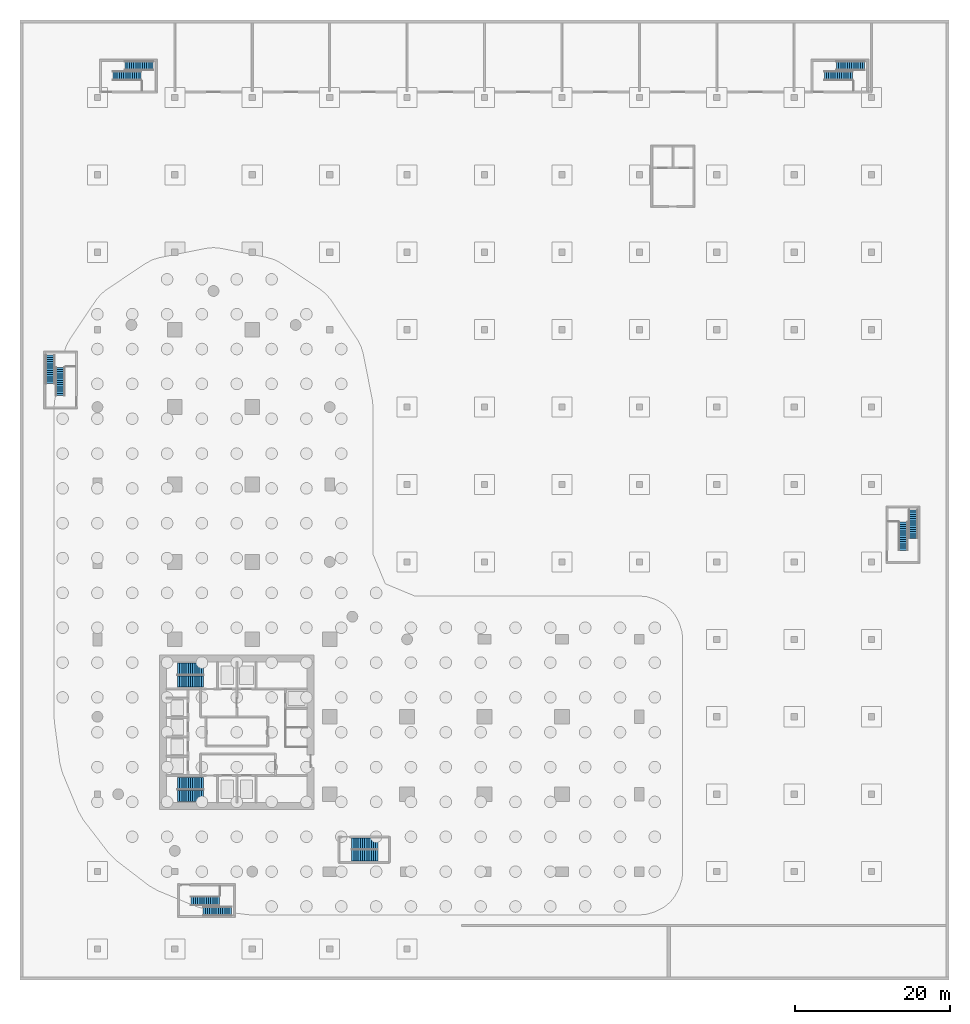
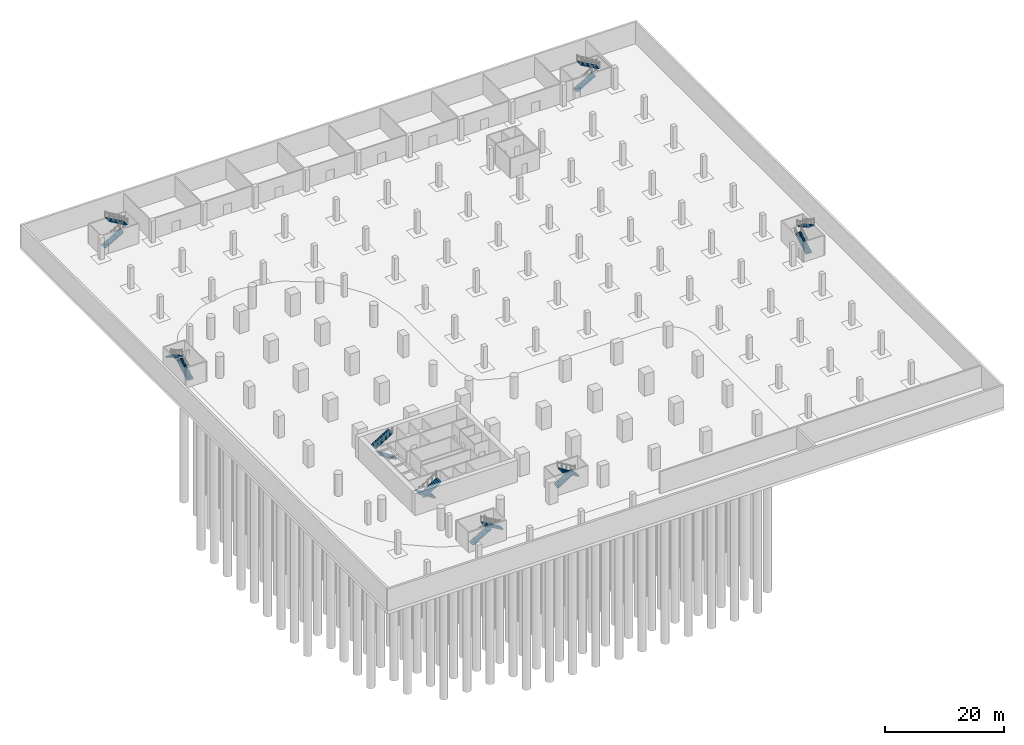
# One storey, part 15 of 19: 16 stair flights, 8 elements without a shape of their own.
"""IFC4 building model written with IfcOpenShell, lengths in metres."""

from ifc_helpers import new_model, si_unit, direction, frame, origin, place, context, subcontext, project, spatial, polyline, outline, extrude, material, layer, layer_set, type_object, element, aggregate, save


model = new_model("IFC4")

# Units and contexts
model_context = context("Model", 3, precision=1e-05, world=origin(), true_north=direction((0.0, 1.0)))
body_context = subcontext(model_context, "Body", "Model", "MODEL_VIEW")
ifc_project = project(units=[si_unit("LENGTHUNIT", "METRE"), si_unit("AREAUNIT", "SQUARE_METRE"), si_unit("VOLUMEUNIT", "CUBIC_METRE"), si_unit("PLANEANGLEUNIT", "RADIAN"), si_unit("MASSUNIT", "GRAM", prefix="KILO")], contexts=[model_context])

# Site, building, storey
site_placement = place(None, origin())
site = spatial("IfcSite", under=ifc_project, at=site_placement, CompositionType="ELEMENT")
building_placement = place(site_placement, origin())
building = spatial("IfcBuilding", under=site, at=building_placement, Name="Qaws Garden Tower", CompositionType="ELEMENT")
storey_placement = place(building_placement, frame((0.0, 0.0, -9.0)))
storey = spatial("IfcBuildingStorey", under=building, at=storey_placement, Name="B2", CompositionType="ELEMENT", Elevation=-9.0)

# Stair, stair flights
ifc_material_1 = material(Name="Concrete C40", Category="concrete")
stair_type_1 = type_object("IfcStairType", Name="Exit stair 1350", PredefinedType="HALF_TURN_STAIR", material=ifc_material_1)
placement = place(storey_placement, origin())
stair_1 = element("IfcStair", 1, at=placement, inside=storey, type_object=stair_type_1, Name="Stair 5", PredefinedType="HALF_TURN_STAIR")
ifc_material_2 = material(Name="Concrete C40", Category="concrete")
stair_flight_type_1 = type_object("IfcStairFlightType", Name="Stair flight 1350", PredefinedType="STRAIGHT", material=ifc_material_2)
stair_flight_1_placement = place(storey_placement, frame((32.85009765625, 3.625, 0.0), z_axis=(0.0, 0.0, 1.0), x_axis=(1.0, 0.0, 0.0)))
stair_flight_1 = element("IfcStairFlight", 2, at=stair_flight_1_placement, type_object=stair_flight_type_1, Name="ST5 flight 1", NumberOfRisers=13, NumberOfTreads=12, PredefinedType="STRAIGHT", RiserHeight=0.173076923, TreadLength=0.28, context=body_context, shape_type="SweptSolid", body=[
    extrude(outline(polyline([(-0.0029296875, 0.0), (-0.0029296875, 0.173095703125), (0.0, 0.173095703125), (0.280029296875, 0.173095703125), (0.280029296875, 0.34619140625), (0.56005859375, 0.34619140625), (0.56005859375, 0.519287109375), (0.840087890625, 0.519287109375), (0.840087890625, 0.6923828125), (1.1201171875, 0.6923828125), (1.1201171875, 0.865478515625), (1.39990234375, 0.865478515625), (1.39990234375, 1.03857421875), (1.679931640625, 1.03857421875), (1.679931640625, 1.21142578125), (1.9599609375, 1.21142578125), (1.9599609375, 1.384521484375), (2.239990234375, 1.384521484375), (2.239990234375, 1.5576171875), (2.52001953125, 1.5576171875), (2.52001953125, 1.730712890625), (2.800048828125, 1.730712890625), (2.800048828125, 1.90380859375), (3.080078125, 1.90380859375), (3.080078125, 2.076904296875), (3.360107421875, 2.076904296875), (3.360107421875, 2.25), (3.363037109375, 2.25), (3.363037109375, 1.900634765625), (3.360107421875, 1.900634765625), (0.28515625, 0.0), (-0.0029296875, 0.0)])), frame((0.0, 0.68994140625, 0.0), z_axis=(0.0, -1.0, 0.0), x_axis=(1.0, 0.0, 0.0)), (0.0, 0.0, 1.0), 1.3798828125),
])
stair_flight_2_placement = place(storey_placement, frame((36.2099609375, 2.074951171875, 2.25), z_axis=(0.0, 0.0, 1.0), x_axis=(-1.0, 0.0, 0.0)))
stair_flight_2 = element("IfcStairFlight", 3, at=stair_flight_2_placement, type_object=stair_flight_type_1, Name="ST5 flight 2", NumberOfRisers=13, NumberOfTreads=12, PredefinedType="STRAIGHT", RiserHeight=0.173076923, TreadLength=0.28, context=body_context, shape_type="SweptSolid", body=[
    extrude(outline(polyline([(-0.0029296875, 0.0), (-0.0029296875, 0.173095703125), (0.0, 0.173095703125), (0.280029296875, 0.173095703125), (0.280029296875, 0.34619140625), (0.56005859375, 0.34619140625), (0.56005859375, 0.519287109375), (0.840087890625, 0.519287109375), (0.840087890625, 0.6923828125), (1.1201171875, 0.6923828125), (1.1201171875, 0.865478515625), (1.39990234375, 0.865478515625), (1.39990234375, 1.03857421875), (1.679931640625, 1.03857421875), (1.679931640625, 1.21142578125), (1.9599609375, 1.21142578125), (1.9599609375, 1.384521484375), (2.239990234375, 1.384521484375), (2.239990234375, 1.5576171875), (2.52001953125, 1.5576171875), (2.52001953125, 1.730712890625), (2.800048828125, 1.730712890625), (2.800048828125, 1.90380859375), (3.080078125, 1.90380859375), (3.080078125, 2.076904296875), (3.360107421875, 2.076904296875), (3.360107421875, 2.25), (3.363037109375, 2.25), (3.363037109375, 1.900634765625), (3.360107421875, 1.900634765625), (0.28515625, 0.0), (-0.0029296875, 0.0)])), frame((0.0, 0.68994140625, 0.0), z_axis=(0.0, -1.0, 0.0), x_axis=(1.0, 0.0, 0.0)), (0.0, 0.0, 1.0), 1.3798828125),
])
aggregate(stair_1, [stair_flight_1, stair_flight_2])

ifc_material_3 = material(Name="Concrete C40", Category="concrete")
stair_type_2 = type_object("IfcStairType", Name="Exit stair 1500", PredefinedType="HALF_TURN_STAIR", material=ifc_material_3)
stair_2 = element("IfcStair", 4, at=placement, inside=storey, type_object=stair_type_2, Name="Stair 1", PredefinedType="HALF_TURN_STAIR")
ifc_material_4 = material(Name="Concrete C40", Category="concrete")
stair_flight_type_2 = type_object("IfcStairFlightType", Name="Stair flight 1500", PredefinedType="STRAIGHT", material=ifc_material_4)
stair_flight_3_placement = place(storey_placement, frame((13.699951171875, 11.449951171875, 0.0), z_axis=(0.0, 0.0, 1.0), x_axis=(-1.0, 0.0, 0.0)))
stair_flight_3 = element("IfcStairFlight", 5, at=stair_flight_3_placement, type_object=stair_flight_type_2, Name="ST1 flight 1", NumberOfRisers=13, NumberOfTreads=12, PredefinedType="STRAIGHT", RiserHeight=0.173076923, TreadLength=0.28, context=body_context, shape_type="SweptSolid", body=[
    extrude(outline(polyline([(-0.0029296875, 0.0), (-0.0029296875, 0.173095703125), (0.0, 0.173095703125), (0.280029296875, 0.173095703125), (0.280029296875, 0.34619140625), (0.56005859375, 0.34619140625), (0.56005859375, 0.519287109375), (0.840087890625, 0.519287109375), (0.840087890625, 0.6923828125), (1.1201171875, 0.6923828125), (1.1201171875, 0.865478515625), (1.39990234375, 0.865478515625), (1.39990234375, 1.03857421875), (1.679931640625, 1.03857421875), (1.679931640625, 1.21142578125), (1.9599609375, 1.21142578125), (1.9599609375, 1.384521484375), (2.239990234375, 1.384521484375), (2.239990234375, 1.5576171875), (2.52001953125, 1.5576171875), (2.52001953125, 1.730712890625), (2.800048828125, 1.730712890625), (2.800048828125, 1.90380859375), (3.080078125, 1.90380859375), (3.080078125, 2.076904296875), (3.360107421875, 2.076904296875), (3.360107421875, 2.25), (3.363037109375, 2.25), (3.363037109375, 1.900634765625), (3.360107421875, 1.900634765625), (0.28515625, 0.0), (-0.0029296875, 0.0)])), frame((0.0, 0.71484375, 0.0), z_axis=(0.0, -1.0, 0.0), x_axis=(1.0, 0.0, 0.0)), (0.0, 0.0, 1.0), 1.429931640625),
])
stair_flight_4_placement = place(storey_placement, frame((10.340087890625, 9.75, 2.25), z_axis=(0.0, 0.0, 1.0), x_axis=(1.0, 0.0, 0.0)))
stair_flight_4 = element("IfcStairFlight", 6, at=stair_flight_4_placement, type_object=stair_flight_type_2, Name="ST1 flight 2", NumberOfRisers=13, NumberOfTreads=12, PredefinedType="STRAIGHT", RiserHeight=0.173076923, TreadLength=0.28, context=body_context, shape_type="SweptSolid", body=[
    extrude(outline(polyline([(-0.0029296875, 0.0), (-0.0029296875, 0.173095703125), (0.0, 0.173095703125), (0.280029296875, 0.173095703125), (0.280029296875, 0.34619140625), (0.56005859375, 0.34619140625), (0.56005859375, 0.519287109375), (0.840087890625, 0.519287109375), (0.840087890625, 0.6923828125), (1.1201171875, 0.6923828125), (1.1201171875, 0.865478515625), (1.39990234375, 0.865478515625), (1.39990234375, 1.03857421875), (1.679931640625, 1.03857421875), (1.679931640625, 1.21142578125), (1.9599609375, 1.21142578125), (1.9599609375, 1.384521484375), (2.239990234375, 1.384521484375), (2.239990234375, 1.5576171875), (2.52001953125, 1.5576171875), (2.52001953125, 1.730712890625), (2.800048828125, 1.730712890625), (2.800048828125, 1.90380859375), (3.080078125, 1.90380859375), (3.080078125, 2.076904296875), (3.360107421875, 2.076904296875), (3.360107421875, 2.25), (3.363037109375, 2.25), (3.363037109375, 1.900634765625), (3.360107421875, 1.900634765625), (0.28515625, 0.0), (-0.0029296875, 0.0)])), frame((0.0, 0.71484375, 0.0), z_axis=(0.0, -1.0, 0.0), x_axis=(1.0, 0.0, 0.0)), (0.0, 0.0, 1.0), 1.429931640625),
])
aggregate(stair_2, [stair_flight_3, stair_flight_4])

stair_3 = element("IfcStair", 7, at=placement, inside=storey, type_object=stair_type_2, Name="Stair 4", PredefinedType="HALF_TURN_STAIR")
stair_flight_5_placement = place(storey_placement, frame((13.699951171875, 24.550048828125, 0.0), z_axis=(0.0, 0.0, 1.0), x_axis=(-1.0, 0.0, 0.0)))
stair_flight_5 = element("IfcStairFlight", 8, at=stair_flight_5_placement, type_object=stair_flight_type_2, Name="ST4 flight 1", NumberOfRisers=13, NumberOfTreads=12, PredefinedType="STRAIGHT", RiserHeight=0.173076923, TreadLength=0.28, context=body_context, shape_type="SweptSolid", body=[
    extrude(outline(polyline([(-0.0029296875, 0.0), (-0.0029296875, 0.173095703125), (0.0, 0.173095703125), (0.280029296875, 0.173095703125), (0.280029296875, 0.34619140625), (0.56005859375, 0.34619140625), (0.56005859375, 0.519287109375), (0.840087890625, 0.519287109375), (0.840087890625, 0.6923828125), (1.1201171875, 0.6923828125), (1.1201171875, 0.865478515625), (1.39990234375, 0.865478515625), (1.39990234375, 1.03857421875), (1.679931640625, 1.03857421875), (1.679931640625, 1.21142578125), (1.9599609375, 1.21142578125), (1.9599609375, 1.384521484375), (2.239990234375, 1.384521484375), (2.239990234375, 1.5576171875), (2.52001953125, 1.5576171875), (2.52001953125, 1.730712890625), (2.800048828125, 1.730712890625), (2.800048828125, 1.90380859375), (3.080078125, 1.90380859375), (3.080078125, 2.076904296875), (3.360107421875, 2.076904296875), (3.360107421875, 2.25), (3.363037109375, 2.25), (3.363037109375, 1.900634765625), (3.360107421875, 1.900634765625), (0.28515625, 0.0), (-0.0029296875, 0.0)])), frame((0.0, 0.719970703125, 0.0), z_axis=(0.0, -1.0, 0.0), x_axis=(1.0, 0.0, 0.0)), (0.0, 0.0, 1.0), 1.43994140625),
])
stair_flight_6_placement = place(storey_placement, frame((10.340087890625, 26.25, 2.25), z_axis=(0.0, 0.0, 1.0), x_axis=(1.0, 0.0, 0.0)))
stair_flight_6 = element("IfcStairFlight", 9, at=stair_flight_6_placement, type_object=stair_flight_type_2, Name="ST4 flight 2", NumberOfRisers=13, NumberOfTreads=12, PredefinedType="STRAIGHT", RiserHeight=0.173076923, TreadLength=0.28, context=body_context, shape_type="SweptSolid", body=[
    extrude(outline(polyline([(-0.0029296875, 0.0), (-0.0029296875, 0.173095703125), (0.0, 0.173095703125), (0.280029296875, 0.173095703125), (0.280029296875, 0.34619140625), (0.56005859375, 0.34619140625), (0.56005859375, 0.519287109375), (0.840087890625, 0.519287109375), (0.840087890625, 0.6923828125), (1.1201171875, 0.6923828125), (1.1201171875, 0.865478515625), (1.39990234375, 0.865478515625), (1.39990234375, 1.03857421875), (1.679931640625, 1.03857421875), (1.679931640625, 1.21142578125), (1.9599609375, 1.21142578125), (1.9599609375, 1.384521484375), (2.239990234375, 1.384521484375), (2.239990234375, 1.5576171875), (2.52001953125, 1.5576171875), (2.52001953125, 1.730712890625), (2.800048828125, 1.730712890625), (2.800048828125, 1.90380859375), (3.080078125, 1.90380859375), (3.080078125, 2.076904296875), (3.360107421875, 2.076904296875), (3.360107421875, 2.25), (3.363037109375, 2.25), (3.363037109375, 1.900634765625), (3.360107421875, 1.900634765625), (0.28515625, 0.0), (-0.0029296875, 0.0)])), frame((0.0, 0.719970703125, 0.0), z_axis=(0.0, -1.0, 0.0), x_axis=(1.0, 0.0, 0.0)), (0.0, 0.0, 1.0), 1.43994140625),
])
aggregate(stair_3, [stair_flight_5, stair_flight_6])

ifc_material_5 = material(Name="Concrete C40", Category="concrete")
stair_type_3 = type_object("IfcStairType", Name="Basement exit stair 1200", PredefinedType="HALF_TURN_STAIR", material=ifc_material_5)
stair_4 = element("IfcStair", 10, at=placement, inside=storey, type_object=stair_type_3, Name="Exit stair N1 B2 to B1", PredefinedType="HALF_TURN_STAIR")
ifc_material_6 = material(Name="Concrete C40", Category="concrete")
ifc_layer = layer(ifc_material_6, 0.14990234375)
ifc_layer_set = layer_set([ifc_layer], Name="Concrete C40")
stair_flight_type_3 = type_object("IfcStairFlightType", Name="Stair flight concrete", PredefinedType="STRAIGHT", material=ifc_layer_set)
stair_flight_7_placement = place(storey_placement, frame((2.0, 102.800048828125, 0.0), z_axis=(0.0, 0.0, 1.0), x_axis=(1.0, 0.0, 0.0)))
stair_flight_7 = element("IfcStairFlight", 11, at=stair_flight_7_placement, type_object=stair_flight_type_3, Name="PST2 flight 1", NumberOfRisers=14, NumberOfTreads=13, PredefinedType="STRAIGHT", RiserHeight=0.160714286, TreadLength=0.28, context=body_context, shape_type="SweptSolid", body=[
    extrude(outline(polyline([(-0.0029296875, 0.0), (-0.0029296875, 0.16064453125), (0.0, 0.16064453125), (0.280029296875, 0.16064453125), (0.280029296875, 0.321533203125), (0.56005859375, 0.321533203125), (0.56005859375, 0.482177734375), (0.840087890625, 0.482177734375), (0.840087890625, 0.642822265625), (1.1201171875, 0.642822265625), (1.1201171875, 0.803466796875), (1.39990234375, 0.803466796875), (1.39990234375, 0.96435546875), (1.679931640625, 0.96435546875), (1.679931640625, 1.125), (1.9599609375, 1.125), (1.9599609375, 1.28564453125), (2.239990234375, 1.28564453125), (2.239990234375, 1.446533203125), (2.52001953125, 1.446533203125), (2.52001953125, 1.607177734375), (2.800048828125, 1.607177734375), (2.800048828125, 1.767822265625), (3.080078125, 1.767822265625), (3.080078125, 1.928466796875), (3.360107421875, 1.928466796875), (3.360107421875, 2.08935546875), (3.639892578125, 2.08935546875), (3.639892578125, 2.25), (3.64306640625, 2.25), (3.64306640625, 1.91650390625), (3.639892578125, 1.91650390625), (0.301025390625, 0.0), (-0.0029296875, 0.0)])), frame((0.0, 0.60009765625, 0.0), z_axis=(0.0, -1.0, 0.0), x_axis=(1.0, 0.0, 0.0)), (0.0, 0.0, 1.0), 1.199951171875),
])
stair_flight_8_placement = place(storey_placement, frame((7.199951171875, 104.10009765625, 2.25), z_axis=(0.0, 0.0, 1.0), x_axis=(-1.0, 0.0, 0.0)))
stair_flight_8 = element("IfcStairFlight", 12, at=stair_flight_8_placement, type_object=stair_flight_type_3, Name="PST2 flight 2", NumberOfRisers=14, NumberOfTreads=13, PredefinedType="STRAIGHT", RiserHeight=0.160714286, TreadLength=0.28, context=body_context, shape_type="SweptSolid", body=[
    extrude(outline(polyline([(-0.0029296875, 0.0), (-0.0029296875, 0.16064453125), (0.0, 0.16064453125), (0.280029296875, 0.16064453125), (0.280029296875, 0.321533203125), (0.56005859375, 0.321533203125), (0.56005859375, 0.482177734375), (0.840087890625, 0.482177734375), (0.840087890625, 0.642822265625), (1.1201171875, 0.642822265625), (1.1201171875, 0.803466796875), (1.39990234375, 0.803466796875), (1.39990234375, 0.96435546875), (1.679931640625, 0.96435546875), (1.679931640625, 1.125), (1.9599609375, 1.125), (1.9599609375, 1.28564453125), (2.239990234375, 1.28564453125), (2.239990234375, 1.446533203125), (2.52001953125, 1.446533203125), (2.52001953125, 1.607177734375), (2.800048828125, 1.607177734375), (2.800048828125, 1.767822265625), (3.080078125, 1.767822265625), (3.080078125, 1.928466796875), (3.360107421875, 1.928466796875), (3.360107421875, 2.08935546875), (3.639892578125, 2.08935546875), (3.639892578125, 2.25), (3.64306640625, 2.25), (3.64306640625, 1.91650390625), (3.639892578125, 1.91650390625), (0.301025390625, 0.0), (-0.0029296875, 0.0)])), frame((0.0, 0.60009765625, 0.0), z_axis=(0.0, -1.0, 0.0), x_axis=(1.0, 0.0, 0.0)), (0.0, 0.0, 1.0), 1.199951171875),
])
aggregate(stair_4, [stair_flight_7, stair_flight_8])

stair_5 = element("IfcStair", 13, at=placement, inside=storey, type_object=stair_type_3, Name="Exit stair N2 B2 to B1", PredefinedType="HALF_TURN_STAIR")
stair_flight_9_placement = place(storey_placement, frame((93.89990234375, 102.800048828125, 0.0), z_axis=(0.0, 0.0, 1.0), x_axis=(1.0, 0.0, 0.0)))
stair_flight_9 = element("IfcStairFlight", 14, at=stair_flight_9_placement, type_object=stair_flight_type_3, Name="PST2 flight 1", NumberOfRisers=14, NumberOfTreads=13, PredefinedType="STRAIGHT", RiserHeight=0.160714286, TreadLength=0.28, context=body_context, shape_type="SweptSolid", body=[
    extrude(outline(polyline([(-0.0029296875, 0.0), (-0.0029296875, 0.16064453125), (0.0, 0.16064453125), (0.280029296875, 0.16064453125), (0.280029296875, 0.321533203125), (0.56005859375, 0.321533203125), (0.56005859375, 0.482177734375), (0.840087890625, 0.482177734375), (0.840087890625, 0.642822265625), (1.1201171875, 0.642822265625), (1.1201171875, 0.803466796875), (1.39990234375, 0.803466796875), (1.39990234375, 0.96435546875), (1.679931640625, 0.96435546875), (1.679931640625, 1.125), (1.9599609375, 1.125), (1.9599609375, 1.28564453125), (2.239990234375, 1.28564453125), (2.239990234375, 1.446533203125), (2.52001953125, 1.446533203125), (2.52001953125, 1.607177734375), (2.800048828125, 1.607177734375), (2.800048828125, 1.767822265625), (3.080078125, 1.767822265625), (3.080078125, 1.928466796875), (3.360107421875, 1.928466796875), (3.360107421875, 2.08935546875), (3.639892578125, 2.08935546875), (3.639892578125, 2.25), (3.64306640625, 2.25), (3.64306640625, 1.91650390625), (3.639892578125, 1.91650390625), (0.301025390625, 0.0), (-0.0029296875, 0.0)])), frame((0.0, 0.60009765625, 0.0), z_axis=(0.0, -1.0, 0.0), x_axis=(1.0, 0.0, 0.0)), (0.0, 0.0, 1.0), 1.199951171875),
])
stair_flight_10_placement = place(storey_placement, frame((99.10009765625, 104.10009765625, 2.25), z_axis=(0.0, 0.0, 1.0), x_axis=(-1.0, 0.0, 0.0)))
stair_flight_10 = element("IfcStairFlight", 15, at=stair_flight_10_placement, type_object=stair_flight_type_3, Name="PST2 flight 2", NumberOfRisers=14, NumberOfTreads=13, PredefinedType="STRAIGHT", RiserHeight=0.160714286, TreadLength=0.28, context=body_context, shape_type="SweptSolid", body=[
    extrude(outline(polyline([(-0.0029296875, 0.0), (-0.0029296875, 0.16064453125), (0.0, 0.16064453125), (0.280029296875, 0.16064453125), (0.280029296875, 0.321533203125), (0.56005859375, 0.321533203125), (0.56005859375, 0.482177734375), (0.840087890625, 0.482177734375), (0.840087890625, 0.642822265625), (1.1201171875, 0.642822265625), (1.1201171875, 0.803466796875), (1.39990234375, 0.803466796875), (1.39990234375, 0.96435546875), (1.679931640625, 0.96435546875), (1.679931640625, 1.125), (1.9599609375, 1.125), (1.9599609375, 1.28564453125), (2.239990234375, 1.28564453125), (2.239990234375, 1.446533203125), (2.52001953125, 1.446533203125), (2.52001953125, 1.607177734375), (2.800048828125, 1.607177734375), (2.800048828125, 1.767822265625), (3.080078125, 1.767822265625), (3.080078125, 1.928466796875), (3.360107421875, 1.928466796875), (3.360107421875, 2.08935546875), (3.639892578125, 2.08935546875), (3.639892578125, 2.25), (3.64306640625, 2.25), (3.64306640625, 1.91650390625), (3.639892578125, 1.91650390625), (0.301025390625, 0.0), (-0.0029296875, 0.0)])), frame((0.0, 0.60009765625, 0.0), z_axis=(0.0, -1.0, 0.0), x_axis=(1.0, 0.0, 0.0)), (0.0, 0.0, 1.0), 1.199951171875),
])
aggregate(stair_5, [stair_flight_9, stair_flight_10])

stair_6 = element("IfcStair", 16, at=placement, inside=storey, type_object=stair_type_3, Name="Exit stair E1 B2 to B1", PredefinedType="HALF_TURN_STAIR")
stair_flight_11_placement = place(storey_placement, frame((104.10009765625, 41.5, 0.0), z_axis=(0.0, 0.0, 1.0), x_axis=(0.0, 1.0, 0.0)))
stair_flight_11 = element("IfcStairFlight", 17, at=stair_flight_11_placement, type_object=stair_flight_type_3, Name="PST2 flight 1", NumberOfRisers=14, NumberOfTreads=13, PredefinedType="STRAIGHT", RiserHeight=0.160714286, TreadLength=0.28, context=body_context, shape_type="SweptSolid", body=[
    extrude(outline(polyline([(-0.0029296875, 0.0), (-0.0029296875, 0.16064453125), (0.0, 0.16064453125), (0.280029296875, 0.16064453125), (0.280029296875, 0.321533203125), (0.56005859375, 0.321533203125), (0.56005859375, 0.482177734375), (0.840087890625, 0.482177734375), (0.840087890625, 0.642822265625), (1.1201171875, 0.642822265625), (1.1201171875, 0.803466796875), (1.39990234375, 0.803466796875), (1.39990234375, 0.96435546875), (1.679931640625, 0.96435546875), (1.679931640625, 1.125), (1.9599609375, 1.125), (1.9599609375, 1.28564453125), (2.239990234375, 1.28564453125), (2.239990234375, 1.446533203125), (2.52001953125, 1.446533203125), (2.52001953125, 1.607177734375), (2.800048828125, 1.607177734375), (2.800048828125, 1.767822265625), (3.080078125, 1.767822265625), (3.080078125, 1.928466796875), (3.360107421875, 1.928466796875), (3.360107421875, 2.08935546875), (3.639892578125, 2.08935546875), (3.639892578125, 2.25), (3.64306640625, 2.25), (3.64306640625, 1.91650390625), (3.639892578125, 1.91650390625), (0.301025390625, 0.0), (-0.0029296875, 0.0)])), frame((0.0, 0.60009765625, 0.0), z_axis=(0.0, -1.0, 0.0), x_axis=(1.0, 0.0, 0.0)), (0.0, 0.0, 1.0), 1.199951171875),
])
stair_flight_12_placement = place(storey_placement, frame((105.39990234375, 46.699951171875, 2.25), z_axis=(0.0, 0.0, 1.0), x_axis=(0.0, -1.0, 0.0)))
stair_flight_12 = element("IfcStairFlight", 18, at=stair_flight_12_placement, type_object=stair_flight_type_3, Name="PST2 flight 2", NumberOfRisers=14, NumberOfTreads=13, PredefinedType="STRAIGHT", RiserHeight=0.160714286, TreadLength=0.28, context=body_context, shape_type="SweptSolid", body=[
    extrude(outline(polyline([(-0.0029296875, 0.0), (-0.0029296875, 0.16064453125), (0.0, 0.16064453125), (0.280029296875, 0.16064453125), (0.280029296875, 0.321533203125), (0.56005859375, 0.321533203125), (0.56005859375, 0.482177734375), (0.840087890625, 0.482177734375), (0.840087890625, 0.642822265625), (1.1201171875, 0.642822265625), (1.1201171875, 0.803466796875), (1.39990234375, 0.803466796875), (1.39990234375, 0.96435546875), (1.679931640625, 0.96435546875), (1.679931640625, 1.125), (1.9599609375, 1.125), (1.9599609375, 1.28564453125), (2.239990234375, 1.28564453125), (2.239990234375, 1.446533203125), (2.52001953125, 1.446533203125), (2.52001953125, 1.607177734375), (2.800048828125, 1.607177734375), (2.800048828125, 1.767822265625), (3.080078125, 1.767822265625), (3.080078125, 1.928466796875), (3.360107421875, 1.928466796875), (3.360107421875, 2.08935546875), (3.639892578125, 2.08935546875), (3.639892578125, 2.25), (3.64306640625, 2.25), (3.64306640625, 1.91650390625), (3.639892578125, 1.91650390625), (0.301025390625, 0.0), (-0.0029296875, 0.0)])), frame((0.0, 0.60009765625, 0.0), z_axis=(0.0, -1.0, 0.0), x_axis=(1.0, 0.0, 0.0)), (0.0, 0.0, 1.0), 1.199951171875),
])
aggregate(stair_6, [stair_flight_11, stair_flight_12])

stair_7 = element("IfcStair", 19, at=placement, inside=storey, type_object=stair_type_3, Name="Exit stair W1 B2 to B1", PredefinedType="HALF_TURN_STAIR")
stair_flight_13_placement = place(storey_placement, frame((-4.800048828125, 61.5, 0.0), z_axis=(0.0, 0.0, 1.0), x_axis=(0.0, 1.0, 0.0)))
stair_flight_13 = element("IfcStairFlight", 20, at=stair_flight_13_placement, type_object=stair_flight_type_3, Name="PST2 flight 1", NumberOfRisers=14, NumberOfTreads=13, PredefinedType="STRAIGHT", RiserHeight=0.160714286, TreadLength=0.28, context=body_context, shape_type="SweptSolid", body=[
    extrude(outline(polyline([(-0.0029296875, 0.0), (-0.0029296875, 0.16064453125), (0.0, 0.16064453125), (0.280029296875, 0.16064453125), (0.280029296875, 0.321533203125), (0.56005859375, 0.321533203125), (0.56005859375, 0.482177734375), (0.840087890625, 0.482177734375), (0.840087890625, 0.642822265625), (1.1201171875, 0.642822265625), (1.1201171875, 0.803466796875), (1.39990234375, 0.803466796875), (1.39990234375, 0.96435546875), (1.679931640625, 0.96435546875), (1.679931640625, 1.125), (1.9599609375, 1.125), (1.9599609375, 1.28564453125), (2.239990234375, 1.28564453125), (2.239990234375, 1.446533203125), (2.52001953125, 1.446533203125), (2.52001953125, 1.607177734375), (2.800048828125, 1.607177734375), (2.800048828125, 1.767822265625), (3.080078125, 1.767822265625), (3.080078125, 1.928466796875), (3.360107421875, 1.928466796875), (3.360107421875, 2.08935546875), (3.639892578125, 2.08935546875), (3.639892578125, 2.25), (3.64306640625, 2.25), (3.64306640625, 1.91650390625), (3.639892578125, 1.91650390625), (0.301025390625, 0.0), (-0.0029296875, 0.0)])), frame((0.0, 0.60009765625, 0.0), z_axis=(0.0, -1.0, 0.0), x_axis=(1.0, 0.0, 0.0)), (0.0, 0.0, 1.0), 1.199951171875),
])
stair_flight_14_placement = place(storey_placement, frame((-6.10009765625, 66.699951171875, 2.25), z_axis=(0.0, 0.0, 1.0), x_axis=(0.0, -1.0, 0.0)))
stair_flight_14 = element("IfcStairFlight", 21, at=stair_flight_14_placement, type_object=stair_flight_type_3, Name="PST2 flight 2", NumberOfRisers=14, NumberOfTreads=13, PredefinedType="STRAIGHT", RiserHeight=0.160714286, TreadLength=0.28, context=body_context, shape_type="SweptSolid", body=[
    extrude(outline(polyline([(-0.0029296875, 0.0), (-0.0029296875, 0.16064453125), (0.0, 0.16064453125), (0.280029296875, 0.16064453125), (0.280029296875, 0.321533203125), (0.56005859375, 0.321533203125), (0.56005859375, 0.482177734375), (0.840087890625, 0.482177734375), (0.840087890625, 0.642822265625), (1.1201171875, 0.642822265625), (1.1201171875, 0.803466796875), (1.39990234375, 0.803466796875), (1.39990234375, 0.96435546875), (1.679931640625, 0.96435546875), (1.679931640625, 1.125), (1.9599609375, 1.125), (1.9599609375, 1.28564453125), (2.239990234375, 1.28564453125), (2.239990234375, 1.446533203125), (2.52001953125, 1.446533203125), (2.52001953125, 1.607177734375), (2.800048828125, 1.607177734375), (2.800048828125, 1.767822265625), (3.080078125, 1.767822265625), (3.080078125, 1.928466796875), (3.360107421875, 1.928466796875), (3.360107421875, 2.08935546875), (3.639892578125, 2.08935546875), (3.639892578125, 2.25), (3.64306640625, 2.25), (3.64306640625, 1.91650390625), (3.639892578125, 1.91650390625), (0.301025390625, 0.0), (-0.0029296875, 0.0)])), frame((0.0, 0.60009765625, 0.0), z_axis=(0.0, -1.0, 0.0), x_axis=(1.0, 0.0, 0.0)), (0.0, 0.0, 1.0), 1.199951171875),
])
aggregate(stair_7, [stair_flight_13, stair_flight_14])

stair_8 = element("IfcStair", 22, at=placement, inside=storey, type_object=stair_type_3, Name="Exit stair S1 B2 to B1", PredefinedType="HALF_TURN_STAIR")
stair_flight_15_placement = place(storey_placement, frame((12.10009765625, -3.800048828125, 0.0), z_axis=(0.0, 0.0, 1.0), x_axis=(1.0, 0.0, 0.0)))
stair_flight_15 = element("IfcStairFlight", 23, at=stair_flight_15_placement, type_object=stair_flight_type_3, Name="PST2 flight 1", NumberOfRisers=14, NumberOfTreads=13, PredefinedType="STRAIGHT", RiserHeight=0.160714286, TreadLength=0.28, context=body_context, shape_type="SweptSolid", body=[
    extrude(outline(polyline([(-0.0029296875, 0.0), (-0.0029296875, 0.16064453125), (0.0, 0.16064453125), (0.280029296875, 0.16064453125), (0.280029296875, 0.321533203125), (0.56005859375, 0.321533203125), (0.56005859375, 0.482177734375), (0.840087890625, 0.482177734375), (0.840087890625, 0.642822265625), (1.1201171875, 0.642822265625), (1.1201171875, 0.803466796875), (1.39990234375, 0.803466796875), (1.39990234375, 0.96435546875), (1.679931640625, 0.96435546875), (1.679931640625, 1.125), (1.9599609375, 1.125), (1.9599609375, 1.28564453125), (2.239990234375, 1.28564453125), (2.239990234375, 1.446533203125), (2.52001953125, 1.446533203125), (2.52001953125, 1.607177734375), (2.800048828125, 1.607177734375), (2.800048828125, 1.767822265625), (3.080078125, 1.767822265625), (3.080078125, 1.928466796875), (3.360107421875, 1.928466796875), (3.360107421875, 2.08935546875), (3.639892578125, 2.08935546875), (3.639892578125, 2.25), (3.64306640625, 2.25), (3.64306640625, 1.91650390625), (3.639892578125, 1.91650390625), (0.301025390625, 0.0), (-0.0029296875, 0.0)])), frame((0.0, 0.60009765625, 0.0), z_axis=(0.0, -1.0, 0.0), x_axis=(1.0, 0.0, 0.0)), (0.0, 0.0, 1.0), 1.199951171875),
])
stair_flight_16_placement = place(storey_placement, frame((17.300048828125, -5.10009765625, 2.25), z_axis=(0.0, 0.0, 1.0), x_axis=(-1.0, 0.0, 0.0)))
stair_flight_16 = element("IfcStairFlight", 24, at=stair_flight_16_placement, type_object=stair_flight_type_3, Name="PST2 flight 2", NumberOfRisers=14, NumberOfTreads=13, PredefinedType="STRAIGHT", RiserHeight=0.160714286, TreadLength=0.28, context=body_context, shape_type="SweptSolid", body=[
    extrude(outline(polyline([(-0.0029296875, 0.0), (-0.0029296875, 0.16064453125), (0.0, 0.16064453125), (0.280029296875, 0.16064453125), (0.280029296875, 0.321533203125), (0.56005859375, 0.321533203125), (0.56005859375, 0.482177734375), (0.840087890625, 0.482177734375), (0.840087890625, 0.642822265625), (1.1201171875, 0.642822265625), (1.1201171875, 0.803466796875), (1.39990234375, 0.803466796875), (1.39990234375, 0.96435546875), (1.679931640625, 0.96435546875), (1.679931640625, 1.125), (1.9599609375, 1.125), (1.9599609375, 1.28564453125), (2.239990234375, 1.28564453125), (2.239990234375, 1.446533203125), (2.52001953125, 1.446533203125), (2.52001953125, 1.607177734375), (2.800048828125, 1.607177734375), (2.800048828125, 1.767822265625), (3.080078125, 1.767822265625), (3.080078125, 1.928466796875), (3.360107421875, 1.928466796875), (3.360107421875, 2.08935546875), (3.639892578125, 2.08935546875), (3.639892578125, 2.25), (3.64306640625, 2.25), (3.64306640625, 1.91650390625), (3.639892578125, 1.91650390625), (0.301025390625, 0.0), (-0.0029296875, 0.0)])), frame((0.0, 0.60009765625, 0.0), z_axis=(0.0, -1.0, 0.0), x_axis=(1.0, 0.0, 0.0)), (0.0, 0.0, 1.0), 1.199951171875),
])
aggregate(stair_8, [stair_flight_15, stair_flight_16])

save(model, "model.ifc")
